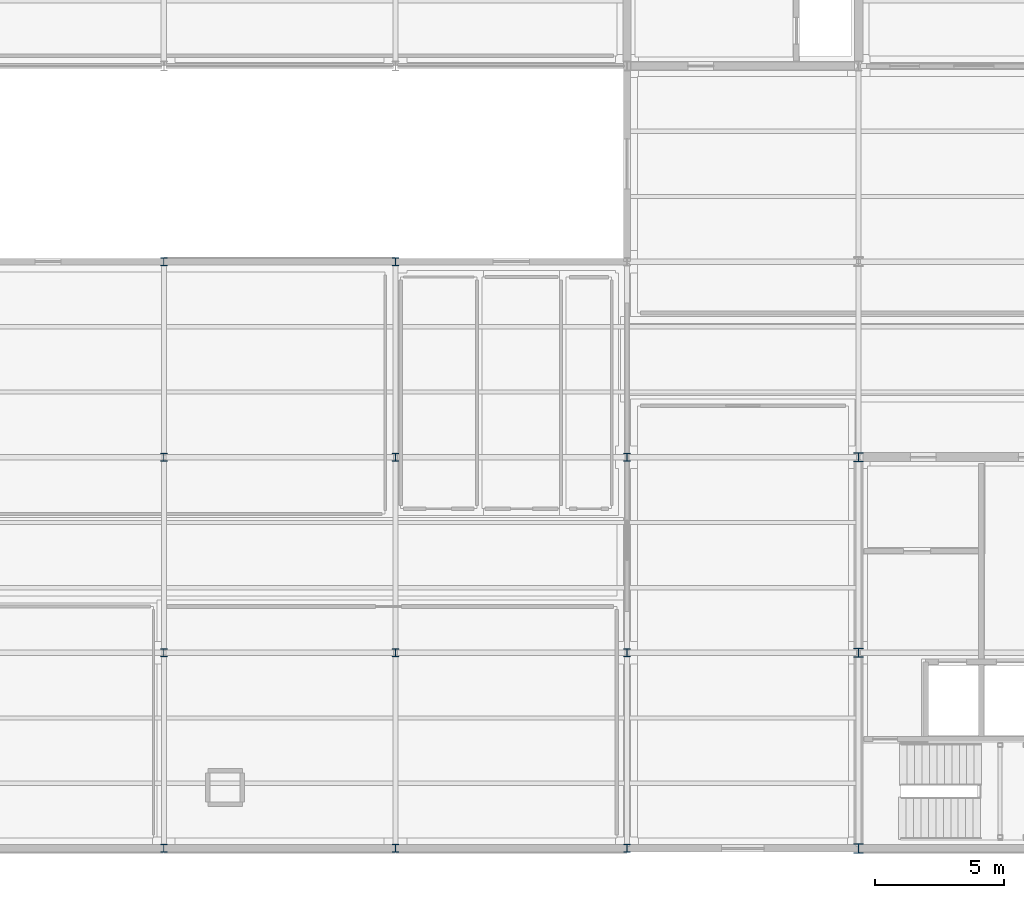
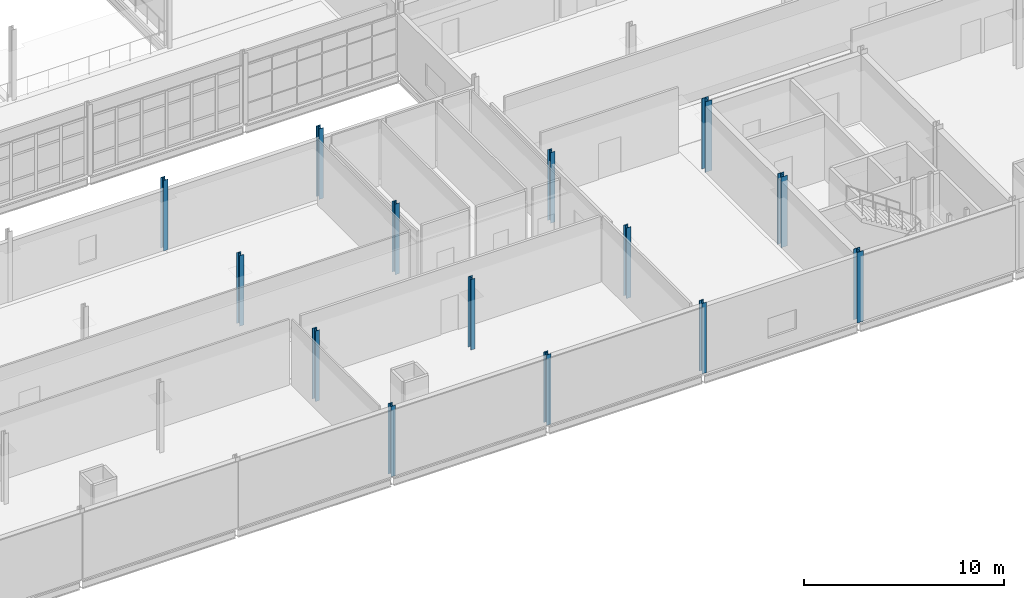
# One storey, part 3 of 174: 14 columns.
"""IFC4 building model written with IfcOpenShell, lengths in metres."""

from ifc_helpers import new_model, si_unit, direction, frame, origin, origin_2d, place, context, subcontext, project, spatial, i_section, extrude, material, material_profile, profile_set, type_object, element, save


model = new_model("IFC4")

# Units and contexts
model_context = context("Model", 3, precision=1e-05, world=origin(), true_north=direction((0.0, 1.0)))
body_context = subcontext(model_context, "Body", "Model", "MODEL_VIEW")
ifc_project = project(units=[si_unit("LENGTHUNIT", "METRE"), si_unit("AREAUNIT", "SQUARE_METRE"), si_unit("VOLUMEUNIT", "CUBIC_METRE"), si_unit("PLANEANGLEUNIT", "RADIAN"), si_unit("MASSUNIT", "GRAM", prefix="KILO")], contexts=[model_context])

# Site, building, storey
site_placement = place(None, origin())
site = spatial("IfcSite", under=ifc_project, at=site_placement, CompositionType="ELEMENT")
building_placement = place(site_placement, origin())
building = spatial("IfcBuilding", under=site, at=building_placement, Name="Caisbarro Railhouse Central Library", CompositionType="ELEMENT")
storey_placement = place(building_placement, frame((0.0, 0.0, 5.0400390625)))
storey = spatial("IfcBuildingStorey", under=building, at=storey_placement, Name="L01", CompositionType="ELEMENT", Elevation=5.0400390625)

# Columns
ifc_material = material(Name="Steel ASTM A572 Grade 50", Category="steel")
ifc_material_profile_1 = material_profile(ifc_material, i_section(OverallWidth=0.37109375, OverallDepth=0.364013671875, WebThickness=0.01318359375, FlangeThickness=0.021728515625, FilletRadius=0.01806640625, at=origin_2d()), Name="W360X162.0")
ifc_profile_set_1 = profile_set([ifc_material_profile_1], Name="Steel ASTM A572 Grade 50")
column_type_1 = type_object("IfcColumnType", Name="COL-C02", PredefinedType="COLUMN", material=ifc_profile_set_1)
for number, where, z_axis, x_axis, name in (
    (1, (63.0, 0.0, 0.0), (0.0, 0.0, 1.0), (1.0, 0.0, 0.0), "C02 column L01 (63.0,0.0)"),
    (2, (63.0, 7.60009765625, 0.0), (0.0, 0.0, 1.0), (1.0, 0.0, 0.0), "C02 column L01 (63.0,7.6)"),
    (3, (63.0, 15.199951171875, 0.0), (0.0, 0.0, 1.0), (1.0, 0.0, 0.0), "C02 column L01 (63.0,15.2)"),
):
    element("IfcColumn", number, at=place(storey_placement, frame(where, z_axis=z_axis, x_axis=x_axis)), inside=storey, type_object=column_type_1, Name=name, PredefinedType="COLUMN", context=body_context, shape_type="SweptSolid", body=[
        extrude(i_section(OverallWidth=0.37109375, OverallDepth=0.364013671875, WebThickness=0.01318359375, FlangeThickness=0.021728515625, FilletRadius=0.01806640625, at=origin_2d()), origin(), (0.0, 0.0, 1.0), 4.320068359375),
    ])
ifc_material_profile_2 = material_profile(ifc_material, i_section(OverallWidth=0.25390625, OverallDepth=0.305908203125, WebThickness=0.0087890625, FlangeThickness=0.0146484375, FilletRadius=0.014892578125, at=origin_2d()), Name="W310X79.0")
ifc_profile_set_2 = profile_set([ifc_material_profile_2], Name="Steel ASTM A572 Grade 50")
column_type_2 = type_object("IfcColumnType", Name="COL-C07", PredefinedType="COLUMN", material=ifc_profile_set_2)
for number, where, z_axis, x_axis, name in (
    (4, (36.0, 0.0, 0.0), (0.0, 0.0, 1.0), (1.0, 0.0, 0.0), "C07 column L01 (36.0,0.0)"),
    (5, (36.0, 7.60009765625, 0.0), (0.0, 0.0, 1.0), (1.0, 0.0, 0.0), "C07 column L01 (36.0,7.6)"),
    (6, (36.0, 15.199951171875, 0.0), (0.0, 0.0, 1.0), (1.0, 0.0, 0.0), "C07 column L01 (36.0,15.2)"),
    (7, (36.0, 22.800048828125, 0.0), (0.0, 0.0, 1.0), (1.0, 0.0, 0.0), "C07 column L01 (36.0,22.8)"),
    (8, (45.0, 0.0, 0.0), (0.0, 0.0, 1.0), (1.0, 0.0, 0.0), "C07 column L01 (45.0,0.0)"),
    (9, (45.0, 7.60009765625, 0.0), (0.0, 0.0, 1.0), (1.0, 0.0, 0.0), "C07 column L01 (45.0,7.6)"),
    (10, (45.0, 15.199951171875, 0.0), (0.0, 0.0, 1.0), (1.0, 0.0, 0.0), "C07 column L01 (45.0,15.2)"),
    (11, (45.0, 22.800048828125, 0.0), (0.0, 0.0, 1.0), (1.0, 0.0, 0.0), "C07 column L01 (45.0,22.8)"),
    (12, (54.0, 0.0, 0.0), (0.0, 0.0, 1.0), (1.0, 0.0, 0.0), "C07 column L01 (54.0,0.0)"),
    (13, (54.0, 7.60009765625, 0.0), (0.0, 0.0, 1.0), (1.0, 0.0, 0.0), "C07 column L01 (54.0,7.6)"),
    (14, (54.0, 15.199951171875, 0.0), (0.0, 0.0, 1.0), (1.0, 0.0, 0.0), "C07 column L01 (54.0,15.2)"),
):
    element("IfcColumn", number, at=place(storey_placement, frame(where, z_axis=z_axis, x_axis=x_axis)), inside=storey, type_object=column_type_2, Name=name, PredefinedType="COLUMN", context=body_context, shape_type="SweptSolid", body=[
        extrude(i_section(OverallWidth=0.25390625, OverallDepth=0.305908203125, WebThickness=0.0087890625, FlangeThickness=0.0146484375, FilletRadius=0.014892578125, at=origin_2d()), origin(), (0.0, 0.0, 1.0), 4.320068359375),
    ])

save(model, "model.ifc")
